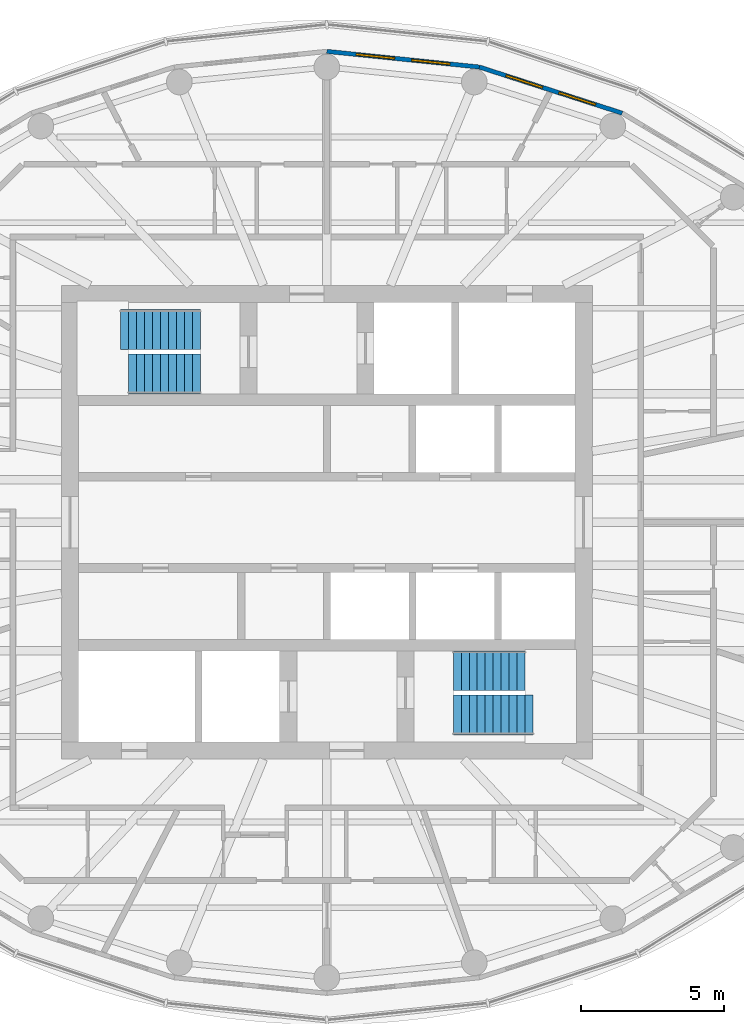
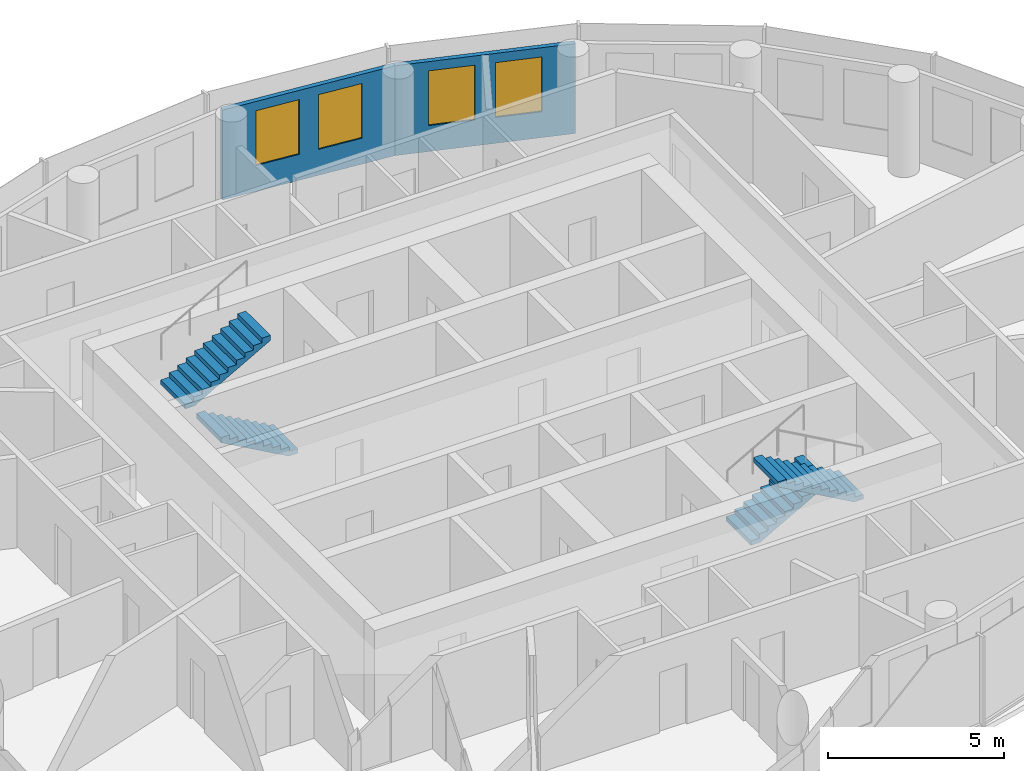
# One storey, part 10 of 11: 4 stair flights, 4 windows, 2 walls, 4 openings, 2 elements without a shape of their own.
"""IFC4 building model written with IfcOpenShell, lengths in metres."""

from ifc_helpers import new_model, si_unit, direction, frame, frame_2d, origin, place, context, subcontext, project, spatial, polyline, rectangle, outline, extrude, material, layer, layer_set, type_object, element, fill, aggregate, save


model = new_model("IFC4")

# Units and contexts
model_context = context("Model", 3, precision=1e-05, world=origin(), true_north=direction((0.0, 1.0)))
body_context = subcontext(model_context, "Body", "Model", "MODEL_VIEW")
ifc_project = project(units=[si_unit("LENGTHUNIT", "METRE"), si_unit("AREAUNIT", "SQUARE_METRE"), si_unit("VOLUMEUNIT", "CUBIC_METRE"), si_unit("PLANEANGLEUNIT", "RADIAN"), si_unit("MASSUNIT", "GRAM", prefix="KILO")], contexts=[model_context])

# Site, building, storey
site_placement = place(None, origin())
site = spatial("IfcSite", under=ifc_project, at=site_placement, CompositionType="ELEMENT")
building_placement = place(site_placement, origin())
building = spatial("IfcBuilding", under=site, at=building_placement, Name="Hankou Lantern Tower", CompositionType="ELEMENT")
storey_placement = place(building_placement, frame((0.0, 0.0, 199.5)))
storey = spatial("IfcBuildingStorey", under=building, at=storey_placement, Name="L53", CompositionType="ELEMENT", Elevation=199.5)

# Wall, openings, windows
ifc_material_1 = material(Name="Aluminium spandrel panel on steel studs", Category="steel")
ifc_layer = layer(ifc_material_1, 0.14990234375)
ifc_layer_set = layer_set([ifc_layer], Name="Aluminium spandrel panel on steel studs")
wall_type = type_object("IfcWallType", Name="EW1 INNER SKIN WALL 150", PredefinedType="ELEMENTEDWALL", material=ifc_layer_set)
wall_1_placement = place(storey_placement, frame((10.346435546875, 14.33642578125, 0.0), z_axis=(0.0, 0.0, 1.0), x_axis=(-0.951644702515, 0.307200846638, 0.0)))
wall_1 = element("IfcWall", 1, at=wall_1_placement, inside=storey, type_object=wall_type, Name="Inner skin R05-R06 L53", PredefinedType="ELEMENTEDWALL", context=body_context, shape_type="SweptSolid", body=[
    extrude(rectangle(XDim=5.2578125, YDim=0.14990234375, at=frame_2d((2.62890625, 0.0))), origin(), (0.0, 0.0, 1.0), 3.1201171875),
])
opening_1_placement = place(wall_1_placement, frame((0.97900390625, 0.0, 0.89990234375)))
opening_1 = element("IfcOpeningElement", 2, at=opening_1_placement, cuts=wall_1, Name="Opening W4", PredefinedType="OPENING", context=body_context, shape_type="SweptSolid", body=[
    extrude(rectangle(XDim=1.35009765625, YDim=1.89990234375, at=frame_2d((0.675048828125, 0.949951171875))), frame((0.0, 0.0849609375, 0.0), z_axis=(0.0, -1.0, 0.0), x_axis=(1.0, 0.0, 0.0)), (0.0, 0.0, 1.0), 0.169921875),
])
opening_2_placement = place(wall_1_placement, frame((2.928955078125, 0.0, 0.89990234375)))
opening_2 = element("IfcOpeningElement", 3, at=opening_2_placement, cuts=wall_1, Name="Opening W4", PredefinedType="OPENING", context=body_context, shape_type="SweptSolid", body=[
    extrude(rectangle(XDim=1.35009765625, YDim=1.89990234375, at=frame_2d((0.675048828125, 0.949951171875))), frame((0.0, 0.0849609375, 0.0), z_axis=(0.0, -1.0, 0.0), x_axis=(1.0, 0.0, 0.0)), (0.0, 0.0, 1.0), 0.169921875),
])
ifc_material_2 = material(Name="Aluminium framed double glazed window", Category="aluminium")
window_type = type_object("IfcWindowType", Name="W4 SUITE WINDOW 1350X1900", PartitioningType="DOUBLE_PANEL_VERTICAL", PredefinedType="WINDOW", material=ifc_material_2)
window_1_placement = place(opening_1_placement, origin())
window_1 = element("IfcWindow", 4, at=window_1_placement, inside=storey, type_object=window_type, Name="Window R05.1 L53", OverallHeight=1.89990234375, OverallWidth=1.35009765625, PartitioningType="SINGLE_PANEL", PredefinedType="WINDOW", context=body_context, shape_type="SweptSolid", body=[
    extrude(rectangle(XDim=1.35009765625, YDim=1.89990234375, at=frame_2d((0.675048828125, 0.949951171875))), frame((0.0, 0.030029296875, 0.0), z_axis=(0.0, -1.0, 0.0), x_axis=(1.0, 0.0, 0.0)), (0.0, 0.0, 1.0), 0.06005859375),
])
fill(opening_1, window_1)
window_2_placement = place(opening_2_placement, origin())
window_2 = element("IfcWindow", 5, at=window_2_placement, inside=storey, type_object=window_type, Name="Window R05.2 L53", OverallHeight=1.89990234375, OverallWidth=1.35009765625, PartitioningType="SINGLE_PANEL", PredefinedType="WINDOW", context=body_context, shape_type="SweptSolid", body=[
    extrude(rectangle(XDim=1.35009765625, YDim=1.89990234375, at=frame_2d((0.675048828125, 0.949951171875))), frame((0.0, 0.030029296875, 0.0), z_axis=(0.0, -1.0, 0.0), x_axis=(1.0, 0.0, 0.0)), (0.0, 0.0, 1.0), 0.06005859375),
])
fill(opening_2, window_2)

wall_2_placement = place(storey_placement, frame((5.3427734375, 15.95166015625, 0.0), z_axis=(0.0, 0.0, 1.0), x_axis=(-0.994774574972, 0.102095763818, 0.0)))
wall_2 = element("IfcWall", 6, at=wall_2_placement, inside=storey, type_object=wall_type, Name="Inner skin R06-R07 L53", PredefinedType="ELEMENTEDWALL", context=body_context, shape_type="SweptSolid", body=[
    extrude(rectangle(XDim=5.370849609375, YDim=0.14990234375, at=frame_2d((2.685546875, 0.0))), origin(), (0.0, 0.0, 1.0), 3.1201171875),
])
opening_3_placement = place(wall_2_placement, frame((1.035400390625, 0.0, 0.89990234375)))
opening_3 = element("IfcOpeningElement", 7, at=opening_3_placement, cuts=wall_2, Name="Opening W4", PredefinedType="OPENING", context=body_context, shape_type="SweptSolid", body=[
    extrude(rectangle(XDim=1.35009765625, YDim=1.89990234375, at=frame_2d((0.675048828125, 0.949951171875))), frame((0.0, 0.0849609375, 0.0), z_axis=(0.0, -1.0, 0.0), x_axis=(1.0, 0.0, 0.0)), (0.0, 0.0, 1.0), 0.169921875),
])
opening_4_placement = place(wall_2_placement, frame((2.9853515625, 0.0, 0.89990234375)))
opening_4 = element("IfcOpeningElement", 8, at=opening_4_placement, cuts=wall_2, Name="Opening W4", PredefinedType="OPENING", context=body_context, shape_type="SweptSolid", body=[
    extrude(rectangle(XDim=1.35009765625, YDim=1.89990234375, at=frame_2d((0.675048828125, 0.949951171875))), frame((0.0, 0.0849609375, 0.0), z_axis=(0.0, -1.0, 0.0), x_axis=(1.0, 0.0, 0.0)), (0.0, 0.0, 1.0), 0.169921875),
])
window_3_placement = place(opening_3_placement, origin())
window_3 = element("IfcWindow", 9, at=window_3_placement, inside=storey, type_object=window_type, Name="Window R06.1 L53", OverallHeight=1.89990234375, OverallWidth=1.35009765625, PartitioningType="SINGLE_PANEL", PredefinedType="WINDOW", context=body_context, shape_type="SweptSolid", body=[
    extrude(rectangle(XDim=1.35009765625, YDim=1.89990234375, at=frame_2d((0.675048828125, 0.949951171875))), frame((0.0, 0.030029296875, 0.0), z_axis=(0.0, -1.0, 0.0), x_axis=(1.0, 0.0, 0.0)), (0.0, 0.0, 1.0), 0.06005859375),
])
fill(opening_3, window_3)
window_4_placement = place(opening_4_placement, origin())
window_4 = element("IfcWindow", 10, at=window_4_placement, inside=storey, type_object=window_type, Name="Window R06.2 L53", OverallHeight=1.89990234375, OverallWidth=1.35009765625, PartitioningType="SINGLE_PANEL", PredefinedType="WINDOW", context=body_context, shape_type="SweptSolid", body=[
    extrude(rectangle(XDim=1.35009765625, YDim=1.89990234375, at=frame_2d((0.675048828125, 0.949951171875))), frame((0.0, 0.030029296875, 0.0), z_axis=(0.0, -1.0, 0.0), x_axis=(1.0, 0.0, 0.0)), (0.0, 0.0, 1.0), 0.06005859375),
])
fill(opening_4, window_4)

# Stair, stair flight
ifc_material_3 = material(Name="Concrete C40", Category="concrete")
stair_type = type_object("IfcStairType", Name="ST33 CORE STAIR 3300 RISE", PredefinedType="HALF_TURN_STAIR", material=ifc_material_3)
stair_1_placement = place(storey_placement, origin())
stair_1 = element("IfcStair", 11, at=stair_1_placement, inside=storey, type_object=stair_type, Name="Stair STA L53", PredefinedType="HALF_TURN_STAIR")
ifc_material_4 = material(Name="Concrete C40", Category="concrete")
stair_flight_type_1 = type_object("IfcStairFlightType", Name="CF10 CORE STAIR FLIGHT 1400 X 10 RISERS", PredefinedType="STRAIGHT", material=ifc_material_4)
stair_flight_1_placement = place(storey_placement, frame((-4.429931640625, 5.199951171875, 0.0), z_axis=(0.0, 0.0, 1.0), x_axis=(-1.0, 0.0, 0.0)))
stair_flight_1 = element("IfcStairFlight", 12, at=stair_flight_1_placement, type_object=stair_flight_type_1, Name="STA flight 1", NumberOfRisers=10, NumberOfTreads=9, PredefinedType="STRAIGHT", RiserHeight=0.157142857, TreadLength=0.28, context=body_context, shape_type="SweptSolid", body=[
    extrude(outline(polyline([(0.0, 0.0), (0.0, 0.1572265625), (0.280029296875, 0.1572265625), (0.280029296875, 0.314208984375), (0.56005859375, 0.314208984375), (0.56005859375, 0.471435546875), (0.840087890625, 0.471435546875), (0.840087890625, 0.628662109375), (1.1201171875, 0.628662109375), (1.1201171875, 0.78564453125), (1.39990234375, 0.78564453125), (1.39990234375, 0.94287109375), (1.679931640625, 0.94287109375), (1.679931640625, 1.10009765625), (1.9599609375, 1.10009765625), (1.9599609375, 1.257080078125), (2.239990234375, 1.257080078125), (2.239990234375, 1.414306640625), (2.52001953125, 1.414306640625), (2.52001953125, 1.571533203125), (2.52001953125, 1.242431640625), (0.306396484375, 0.0), (0.0, 0.0)])), frame((0.0, 0.699951171875, 0.0), z_axis=(0.0, -1.0, 0.0), x_axis=(1.0, 0.0, 0.0)), (0.0, 0.0, 1.0), 1.39990234375),
])

stair_2_placement = place(storey_placement, origin())
stair_2 = element("IfcStair", 13, at=stair_2_placement, inside=storey, type_object=stair_type, Name="Stair STB L53", PredefinedType="HALF_TURN_STAIR")
stair_flight_2_placement = place(storey_placement, frame((4.429931640625, -5.199951171875, 0.0), z_axis=(0.0, 0.0, 1.0), x_axis=(1.0, 0.0, 0.0)))
stair_flight_2 = element("IfcStairFlight", 14, at=stair_flight_2_placement, type_object=stair_flight_type_1, Name="STB flight 1", NumberOfRisers=10, NumberOfTreads=9, PredefinedType="STRAIGHT", RiserHeight=0.157142857, TreadLength=0.28, context=body_context, shape_type="SweptSolid", body=[
    extrude(outline(polyline([(0.0, 0.0), (0.0, 0.1572265625), (0.280029296875, 0.1572265625), (0.280029296875, 0.314208984375), (0.56005859375, 0.314208984375), (0.56005859375, 0.471435546875), (0.840087890625, 0.471435546875), (0.840087890625, 0.628662109375), (1.1201171875, 0.628662109375), (1.1201171875, 0.78564453125), (1.39990234375, 0.78564453125), (1.39990234375, 0.94287109375), (1.679931640625, 0.94287109375), (1.679931640625, 1.10009765625), (1.9599609375, 1.10009765625), (1.9599609375, 1.257080078125), (2.239990234375, 1.257080078125), (2.239990234375, 1.414306640625), (2.52001953125, 1.414306640625), (2.52001953125, 1.571533203125), (2.52001953125, 1.242431640625), (0.306396484375, 0.0), (0.0, 0.0)])), frame((0.0, 0.699951171875, 0.0), z_axis=(0.0, -1.0, 0.0), x_axis=(1.0, 0.0, 0.0)), (0.0, 0.0, 1.0), 1.39990234375),
])

# Stair flight
ifc_material_5 = material(Name="Concrete C40", Category="concrete")
stair_flight_type_2 = type_object("IfcStairFlightType", Name="CF11 CORE STAIR FLIGHT 1400 X 11 RISERS", PredefinedType="STRAIGHT", material=ifc_material_5)
stair_flight_3_placement = place(storey_placement, frame((-7.22998046875, 6.75, 1.571533203125), z_axis=(0.0, 0.0, 1.0), x_axis=(1.0, 0.0, 0.0)))
stair_flight_3 = element("IfcStairFlight", 15, at=stair_flight_3_placement, type_object=stair_flight_type_2, Name="STA flight 2", NumberOfRisers=11, NumberOfTreads=10, PredefinedType="STRAIGHT", RiserHeight=0.157142857, TreadLength=0.28, context=body_context, shape_type="SweptSolid", body=[
    extrude(outline(polyline([(0.0, 0.0), (0.0, 0.1572265625), (0.280029296875, 0.1572265625), (0.280029296875, 0.314208984375), (0.56005859375, 0.314208984375), (0.56005859375, 0.471435546875), (0.840087890625, 0.471435546875), (0.840087890625, 0.628662109375), (1.1201171875, 0.628662109375), (1.1201171875, 0.78564453125), (1.39990234375, 0.78564453125), (1.39990234375, 0.94287109375), (1.679931640625, 0.94287109375), (1.679931640625, 1.10009765625), (1.9599609375, 1.10009765625), (1.9599609375, 1.257080078125), (2.239990234375, 1.257080078125), (2.239990234375, 1.414306640625), (2.52001953125, 1.414306640625), (2.52001953125, 1.571533203125), (2.800048828125, 1.571533203125), (2.800048828125, 1.728515625), (2.800048828125, 1.3994140625), (0.306396484375, 0.0), (0.0, 0.0)])), frame((0.0, 0.699951171875, 0.0), z_axis=(0.0, -1.0, 0.0), x_axis=(1.0, 0.0, 0.0)), (0.0, 0.0, 1.0), 1.39990234375),
])

aggregate(stair_1, [stair_flight_1, stair_flight_3])

stair_flight_4_placement = place(storey_placement, frame((7.22998046875, -6.75, 1.571533203125), z_axis=(0.0, 0.0, 1.0), x_axis=(-1.0, 0.0, 0.0)))
stair_flight_4 = element("IfcStairFlight", 16, at=stair_flight_4_placement, type_object=stair_flight_type_2, Name="STB flight 2", NumberOfRisers=11, NumberOfTreads=10, PredefinedType="STRAIGHT", RiserHeight=0.157142857, TreadLength=0.28, context=body_context, shape_type="SweptSolid", body=[
    extrude(outline(polyline([(0.0, 0.0), (0.0, 0.1572265625), (0.280029296875, 0.1572265625), (0.280029296875, 0.314208984375), (0.56005859375, 0.314208984375), (0.56005859375, 0.471435546875), (0.840087890625, 0.471435546875), (0.840087890625, 0.628662109375), (1.1201171875, 0.628662109375), (1.1201171875, 0.78564453125), (1.39990234375, 0.78564453125), (1.39990234375, 0.94287109375), (1.679931640625, 0.94287109375), (1.679931640625, 1.10009765625), (1.9599609375, 1.10009765625), (1.9599609375, 1.257080078125), (2.239990234375, 1.257080078125), (2.239990234375, 1.414306640625), (2.52001953125, 1.414306640625), (2.52001953125, 1.571533203125), (2.800048828125, 1.571533203125), (2.800048828125, 1.728515625), (2.800048828125, 1.3994140625), (0.306396484375, 0.0), (0.0, 0.0)])), frame((0.0, 0.699951171875, 0.0), z_axis=(0.0, -1.0, 0.0), x_axis=(1.0, 0.0, 0.0)), (0.0, 0.0, 1.0), 1.39990234375),
])

aggregate(stair_2, [stair_flight_2, stair_flight_4])

save(model, "model.ifc")
